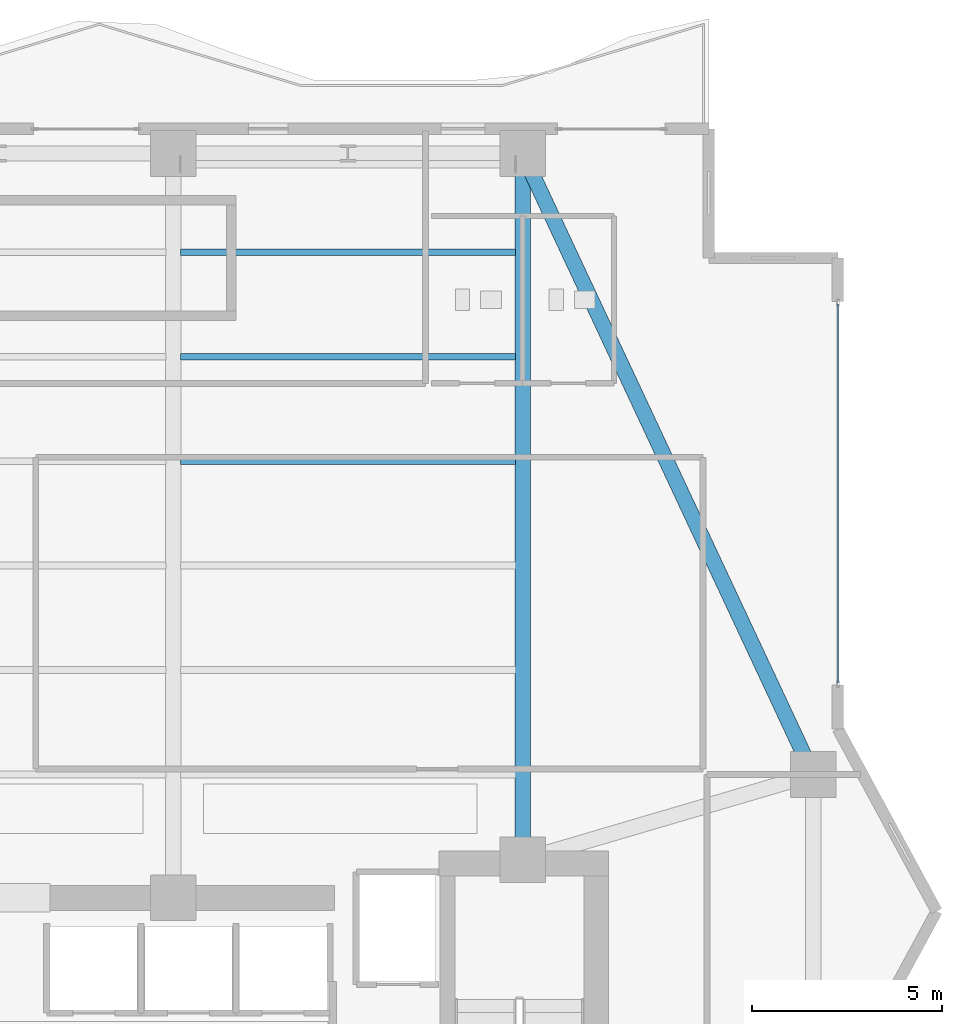
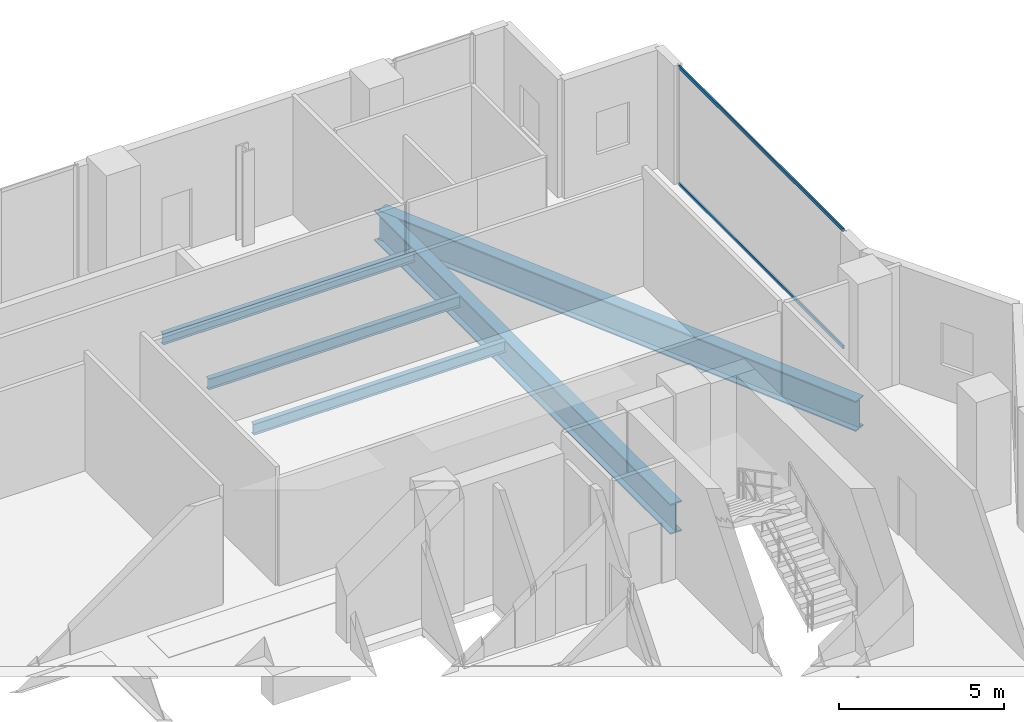
# One storey, part 21 of 33: 5 beams, 2 members, 1 element without a shape of its own.
"""IFC4 building model written with IfcOpenShell, lengths in metres."""

import ifcopenshell
import ifcopenshell.guid

model = None  # the IFC model being written
_history = None  # IfcOwnerHistory: only IFC2X3 demands one
_inside = {}  # id of a spatial element -> (the spatial element, [elements in it])
_under = {}  # id of a project, library or spatial element -> (it, [spatial elements below it])
_declared = {}  # id of a project -> (the project, [libraries it declares])
_typed = {}  # id of a type object -> (the type object, [elements of that type])
_made_of = {}  # id of a material, layer set ... -> (it, [elements and type objects made of it])


def new_model(schema):
    """Start an empty IFC model of exactly this schema.

    Asked for "IFC4X3", IfcOpenShell would pick the latest addendum, in which some entities
    have other attributes; the version numbers below select the first issue.
    IFC2X3 requires an IfcOwnerHistory on every rooted entity: one is made here for all.
    """
    global model, _history
    if schema == "IFC4X3":
        model = ifcopenshell.file(schema_version=(4, 3, 0, 0))
    else:
        model = ifcopenshell.file(schema=schema)
    _inside.clear()
    _under.clear()
    _declared.clear()
    _typed.clear()
    _made_of.clear()
    _history = None
    if model.schema == "IFC2X3":
        org = make("IfcOrganization", Name="unknown")
        user = make(
            "IfcPersonAndOrganization",
            ThePerson=make("IfcPerson", FamilyName="unknown"),
            TheOrganization=org,
        )
        app = make(
            "IfcApplication",
            ApplicationDeveloper=org,
            Version="unknown",
            ApplicationFullName="unknown",
            ApplicationIdentifier="unknown",
        )
        _history = make(
            "IfcOwnerHistory",
            OwningUser=user,
            OwningApplication=app,
            ChangeAction="ADDED",
            CreationDate=0,
        )
    return model


def make(cls, **values):
    """One entity of the class cls with the attributes given. An attribute that is None is left unset."""
    return model.create_entity(
        cls, **{name: value for name, value in values.items() if value is not None}
    )


def rooted(cls, **values):
    """An entity with a GlobalId (a new one), such as an element, a storey or a relation."""
    return make(cls, GlobalId=ifcopenshell.guid.new(), OwnerHistory=_history, **values)


def si_unit(unit_type, name, prefix=None):
    """IfcSIUnit, for example si_unit("LENGTHUNIT", "METRE", prefix="MILLI")."""
    return make("IfcSIUnit", UnitType=unit_type, Prefix=prefix, Name=name)


def assignment(units):
    """IfcUnitAssignment: the units of a project."""
    return None if units is None else make("IfcUnitAssignment", Units=units)


def point(xyz):
    """IfcCartesianPoint."""
    return None if xyz is None else make("IfcCartesianPoint", Coordinates=xyz)


def direction(xyz):
    """IfcDirection."""
    return None if xyz is None else make("IfcDirection", DirectionRatios=xyz)


def frame(location, z_axis=None, x_axis=None):
    """IfcAxis2Placement3D, a coordinate frame: its origin and axes. An axis left out is left unset."""
    return make(
        "IfcAxis2Placement3D",
        Location=point(location),
        Axis=direction(z_axis),
        RefDirection=direction(x_axis),
    )


def frame_2d(location, x_axis=None):
    """IfcAxis2Placement2D, a coordinate frame in the plane: its origin and x axis."""
    return make(
        "IfcAxis2Placement2D", Location=point(location), RefDirection=direction(x_axis)
    )


def origin():
    """The frame at (0, 0, 0) with its axes left unset."""
    return frame((0.0, 0.0, 0.0))


def origin_2d():
    """The frame at (0, 0) in the plane with its x axis left unset."""
    return frame_2d((0.0, 0.0))


def place(relative_to, where):
    """IfcLocalPlacement: puts the frame where relative to a parent placement (None: the world)."""
    return make(
        "IfcLocalPlacement", PlacementRelTo=relative_to, RelativePlacement=where
    )


def context(
    kind, dimensions, precision=None, world=None, true_north=None, identifier=None
):
    """IfcGeometricRepresentationContext, for example the 3D "Model" context."""
    return make(
        "IfcGeometricRepresentationContext",
        ContextIdentifier=identifier,
        ContextType=kind,
        CoordinateSpaceDimension=dimensions,
        Precision=precision,
        WorldCoordinateSystem=world,
        TrueNorth=true_north,
    )


def subcontext(parent, identifier, kind, view, scale=None):
    """IfcGeometricRepresentationSubContext, for example "Body" below "Model"."""
    return make(
        "IfcGeometricRepresentationSubContext",
        ContextIdentifier=identifier,
        ContextType=kind,
        ParentContext=parent,
        TargetScale=scale,
        TargetView=view,
    )


def project(units=None, contexts=None):
    """IfcProject with its units and contexts."""
    return rooted(
        "IfcProject",
        Name="project",
        RepresentationContexts=contexts,
        UnitsInContext=assignment(units),
    )


def spatial(cls, under=None, at=None, **own):
    """A site, building, storey or space (cls), placed at a placement, below another one or the project."""
    s = rooted(cls, ObjectPlacement=at, **own)
    if under is not None:
        _under.setdefault(under.id(), (under, []))[1].append(s)
    return s


def profile(cls, at=None, kind="AREA", **sizes):
    """A parametric profile (cls). Its sizes go by their IFC names, for example OverallWidth=200.0."""
    return make(cls, ProfileType=kind, Position=at, **sizes)


def hollow_rectangle(**sizes):
    """IfcRectangleHollowProfileDef."""
    return profile("IfcRectangleHollowProfileDef", **sizes)


def i_section(**sizes):
    """IfcIShapeProfileDef."""
    return profile("IfcIShapeProfileDef", **sizes)


def extrude(swept, where, along, depth):
    """IfcExtrudedAreaSolid: the profile swept, set in the frame where, extruded along a direction by depth."""
    return make(
        "IfcExtrudedAreaSolid",
        SweptArea=swept,
        Position=where,
        ExtrudedDirection=direction(along),
        Depth=depth,
    )


def shape(context_of_items, identifier, shape_type, items):
    """IfcShapeRepresentation: the items that make up one representation, for example the "Body"."""
    return make(
        "IfcShapeRepresentation",
        ContextOfItems=context_of_items,
        RepresentationIdentifier=identifier,
        RepresentationType=shape_type,
        Items=items,
    )


def material(Name=None, Category=None):
    """IfcMaterial."""
    return make("IfcMaterial", Name=Name, Category=Category)


def layer(
    of_material, thickness, ventilated=None, Name=None, Category=None, Priority=None
):
    """IfcMaterialLayer: one layer of a wall or slab, of a material (None: an air gap)."""
    return make(
        "IfcMaterialLayer",
        Material=of_material,
        LayerThickness=thickness,
        IsVentilated=ventilated,
        Name=Name,
        Category=Category,
        Priority=Priority,
    )


def layer_set(layers, Name=None):
    """IfcMaterialLayerSet."""
    return make("IfcMaterialLayerSet", MaterialLayers=layers, LayerSetName=Name)


def material_profile(
    of_material, cross_section, Name=None, Category=None, Priority=None
):
    """IfcMaterialProfile: a cross section and its material."""
    return make(
        "IfcMaterialProfile",
        Name=Name,
        Material=of_material,
        Profile=cross_section,
        Priority=Priority,
        Category=Category,
    )


def profile_set(profiles, Name=None, composite=None):
    """IfcMaterialProfileSet."""
    return make(
        "IfcMaterialProfileSet",
        Name=Name,
        MaterialProfiles=profiles,
        CompositeProfile=composite,
    )


def made_of(thing, what):
    """Note that an element or type object is made of a material, layer set ...; save() writes the relation."""
    if what is not None:
        _made_of.setdefault(what.id(), (what, []))[1].append(thing)
    return thing


def type_object(cls, material=None, **own):
    """A type object (cls), such as IfcWallType, which elements share."""
    return made_of(rooted(cls, **own), material)


def element(
    cls,
    number,
    at=None,
    inside=None,
    cuts=None,
    type_object=None,
    material=None,
    context=None,
    identifier="Body",
    shape_type=None,
    held_by="IfcProductDefinitionShape",
    body=None,
    shapes=None,
    **own,
):
    """One element of the class cls, such as IfcWall. Its Tag is "e" and its number.

    at: its placement. inside: the storey or other place that contains it. cuts: it is an
    opening in that element (IfcRelVoidsElement). A single representation is given by context,
    identifier, shape_type and body (its items); several are given by shapes. held_by: the class
    of the entity that holds the representations. save() writes the other relations.
    """
    e = rooted(cls, Tag="e%d" % number, ObjectPlacement=at, **own)
    if body is not None:
        shapes = [shape(context, identifier, shape_type, body)]
    if shapes is not None:
        e.Representation = make(held_by, Representations=shapes)
    if inside is not None:
        _inside.setdefault(inside.id(), (inside, []))[1].append(e)
    if cuts is not None:
        rooted(
            "IfcRelVoidsElement", RelatingBuildingElement=cuts, RelatedOpeningElement=e
        )
    if type_object is not None:
        _typed.setdefault(type_object.id(), (type_object, []))[1].append(e)
    return made_of(e, material)


def aggregate(whole, parts):
    """IfcRelAggregates: a whole, such as a stair, and the parts it consists of."""
    return rooted("IfcRelAggregates", RelatingObject=whole, RelatedObjects=parts)


def save(model, path):
    """Write the relations noted so far, then the file.

    IfcRelAggregates (storeys below a building ...), IfcRelContainedInSpatialStructure (elements
    in a storey), IfcRelDefinesByType, IfcRelAssociatesMaterial and IfcRelDeclares: one each for
    every whole, place, type object, material and project.
    """
    for whole, parts in _under.values():
        aggregate(whole, parts)
    for where, things in _inside.values():
        rooted(
            "IfcRelContainedInSpatialStructure",
            RelatedElements=things,
            RelatingStructure=where,
        )
    for kind, things in _typed.values():
        rooted("IfcRelDefinesByType", RelatedObjects=things, RelatingType=kind)
    for what, things in _made_of.values():
        rooted("IfcRelAssociatesMaterial", RelatedObjects=things, RelatingMaterial=what)
    for by, libraries in _declared.values():
        rooted("IfcRelDeclares", RelatingContext=by, RelatedDefinitions=libraries)
    model.write(path)


model = new_model("IFC4")

# Units and contexts
model_context = context("Model", 3, precision=1e-05, world=origin(), true_north=direction((0.0, 1.0)))
body_context = subcontext(model_context, "Body", "Model", "MODEL_VIEW")
ifc_project = project(units=[si_unit("LENGTHUNIT", "METRE"), si_unit("AREAUNIT", "SQUARE_METRE"), si_unit("VOLUMEUNIT", "CUBIC_METRE"), si_unit("PLANEANGLEUNIT", "RADIAN"), si_unit("MASSUNIT", "GRAM", prefix="KILO")], contexts=[model_context])

# Site, building, storey
site_placement = place(None, origin())
site = spatial("IfcSite", under=ifc_project, at=site_placement, CompositionType="ELEMENT")
building_placement = place(site_placement, origin())
building = spatial("IfcBuilding", under=site, at=building_placement, Name="Zuhayl Quay Hotel", CompositionType="ELEMENT")
storey_placement = place(building_placement, frame((0.0, 0.0, 168.199951171875)))
storey = spatial("IfcBuildingStorey", under=building, at=storey_placement, Name="L42", CompositionType="ELEMENT", Elevation=168.199951171875)

# Beams
ifc_material_1 = material(Name="Steel ASTM A992 Grade 50", Category="steel")
ifc_material_profile_1 = material_profile(ifc_material_1, i_section(OverallWidth=0.177978515625, OverallDepth=0.406005859375, WebThickness=0.0078125, FlangeThickness=0.0126953125, at=origin_2d()), Name="W16X40")
ifc_profile_set_1 = profile_set([ifc_material_profile_1], Name="Steel ASTM A992 Grade 50")
beam_type_1 = type_object("IfcBeamType", Name="BM_J2B_W16X40", PredefinedType="JOIST", material=ifc_profile_set_1)
for number, where, z_axis, x_axis, name in (
    (1, (4.7939453125, 24.85009765625, -0.462890625), (1.0, 0.0, 0.0), (0.0, 1.0, 0.0), "L42 Floor Beam FJ_L42_4_3"),
    (2, (4.7939453125, 27.60009765625, -0.462890625), (1.0, 0.0, 0.0), (0.0, 1.0, 0.0), "L42 Floor Beam FJ_L42_5_3"),
    (3, (4.7939453125, 30.35009765625, -0.462890625), (1.0, 0.0, 0.0), (0.0, 1.0, 0.0), "L42 Floor Beam FJ_L42_6_3"),
):
    element("IfcBeam", number, at=place(storey_placement, frame(where, z_axis=z_axis, x_axis=x_axis)), inside=storey, type_object=beam_type_1, Name=name, PredefinedType="JOIST", context=body_context, shape_type="SweptSolid", body=[
        extrude(i_section(OverallWidth=0.177978515625, OverallDepth=0.406005859375, WebThickness=0.0078125, FlangeThickness=0.0126953125, at=origin_2d()), origin(), (0.0, 0.0, 1.0), 8.81201171875),
    ])
ifc_material_2 = material(Name="Steel ASTM A913 Grade 65", Category="steel")
ifc_material_profile_2 = material_profile(ifc_material_2, i_section(OverallWidth=0.404052734375, OverallDepth=1.117919921875, WebThickness=0.026123046875, FlangeThickness=0.044921875, at=origin_2d()), Name="W44X335")
ifc_profile_set_2 = profile_set([ifc_material_profile_2], Name="Steel ASTM A913 Grade 65")
beam_type_2 = type_object("IfcBeamType", Name="BM_TG1_W44X335", PredefinedType="BEAM", material=ifc_profile_set_2)
beam_1_placement = place(storey_placement, frame((21.365234375, 16.78125, -0.81884765625), z_axis=(-0.423797676758, 0.905756881936, 0.0), x_axis=(-0.905756881936, -0.423797676758, 0.0)))
element("IfcBeam", 4, at=beam_1_placement, inside=storey, type_object=beam_type_2, Name="L42 Floor Beam RG_L42_06", PredefinedType="BEAM", context=body_context, shape_type="SweptSolid", body=[
    extrude(i_section(OverallWidth=0.404052734375, OverallDepth=1.117919921875, WebThickness=0.026123046875, FlangeThickness=0.044921875, at=origin_2d()), origin(), (0.0, 0.0, 1.0), 17.651123046875),
])
beam_2_placement = place(storey_placement, frame((13.800048828125, 14.800048828125, -0.81884765625), z_axis=(0.0, 1.0, 0.0), x_axis=(-1.0, 0.0, 0.0)))
element("IfcBeam", 5, at=beam_2_placement, inside=storey, type_object=beam_type_2, Name="L42 Floor Beam FG_N_L42_4", PredefinedType="BEAM", context=body_context, shape_type="SweptSolid", body=[
    extrude(i_section(OverallWidth=0.404052734375, OverallDepth=1.117919921875, WebThickness=0.026123046875, FlangeThickness=0.044921875, at=origin_2d()), origin(), (0.0, 0.0, 1.0), 17.949951171875),
])

# Curtain wall, members
ifc_material_3 = material(Name="Anodised Aluminium 6063-T6", Category="aluminium")
ifc_layer = layer(ifc_material_3, 0.175048828125, Name="Anodised Aluminium 6063-T6", Category="aluminium")
ifc_layer_set = layer_set([ifc_layer], Name="Anodised Aluminium 6063-T6")
curtain_wall_type = type_object("IfcCurtainWallType", Name="CW_SYS_Z3", PredefinedType="USERDEFINED", material=ifc_layer_set)
curtain_wall_placement = place(storey_placement, origin())
curtain_wall = element("IfcCurtainWall", 6, at=curtain_wall_placement, inside=storey, type_object=curtain_wall_type, Name="L42 Curtain Wall ENV_L42_E11_CW1", ObjectType="UNITISED CURTAIN WALL", PredefinedType="USERDEFINED")
ifc_material_4 = material(Name="Black-anodised aluminium 6063-T6", Category="aluminium")
ifc_material_profile_3 = material_profile(ifc_material_4, hollow_rectangle(XDim=0.054931640625, YDim=0.1298828125, WallThickness=0.0029296875, at=origin_2d()), Name="ALU130X55")
ifc_profile_set_3 = profile_set([ifc_material_profile_3], Name="Black-anodised aluminium 6063-T6")
member_type = type_object("IfcMemberType", Name="MB_CW_TRN_130", PredefinedType="USERDEFINED", material=ifc_profile_set_3)
member_1_placement = place(storey_placement, frame((22.10009765625, 28.985107421875, 0.027587890625), z_axis=(0.0, -1.0, 0.0), x_axis=(1.0, 0.0, 0.0)))
member_1 = element("IfcMember", 7, at=member_1_placement, type_object=member_type, Name="CW-Z3 transom 1.1", ObjectType="TRANSOM", PredefinedType="USERDEFINED", context=body_context, shape_type="SweptSolid", body=[
    extrude(hollow_rectangle(XDim=0.054931640625, YDim=0.1298828125, WallThickness=0.0029296875, at=origin_2d()), origin(), (0.0, 0.0, 1.0), 9.97021484375),
])
member_2_placement = place(storey_placement, frame((22.10009765625, 28.985107421875, 4.3525390625), z_axis=(0.0, -1.0, 0.0), x_axis=(1.0, 0.0, 0.0)))
member_2 = element("IfcMember", 8, at=member_2_placement, type_object=member_type, Name="CW-Z3 transom 1.2", ObjectType="TRANSOM", PredefinedType="USERDEFINED", context=body_context, shape_type="SweptSolid", body=[
    extrude(hollow_rectangle(XDim=0.054931640625, YDim=0.1298828125, WallThickness=0.0029296875, at=origin_2d()), origin(), (0.0, 0.0, 1.0), 9.97021484375),
])
aggregate(curtain_wall, [member_1, member_2])

save(model, "model.ifc")
